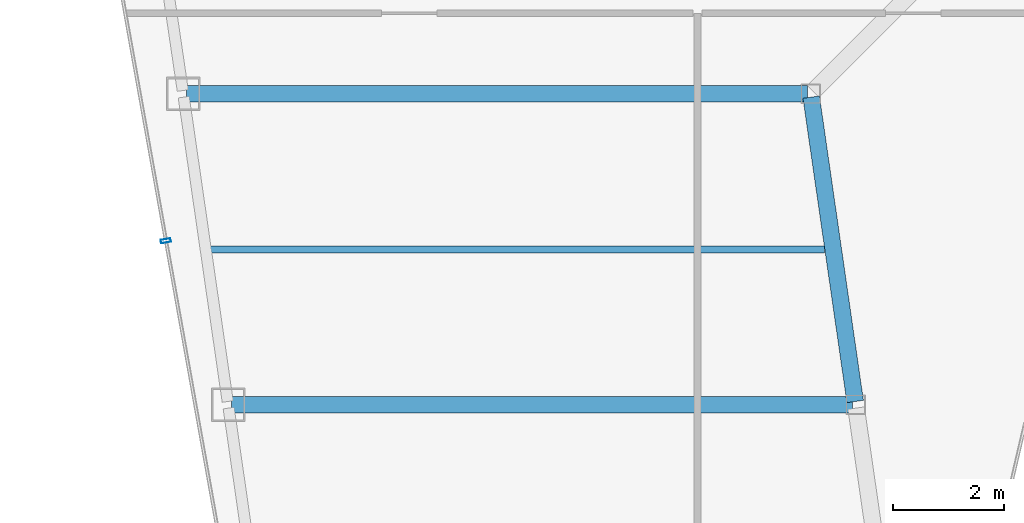
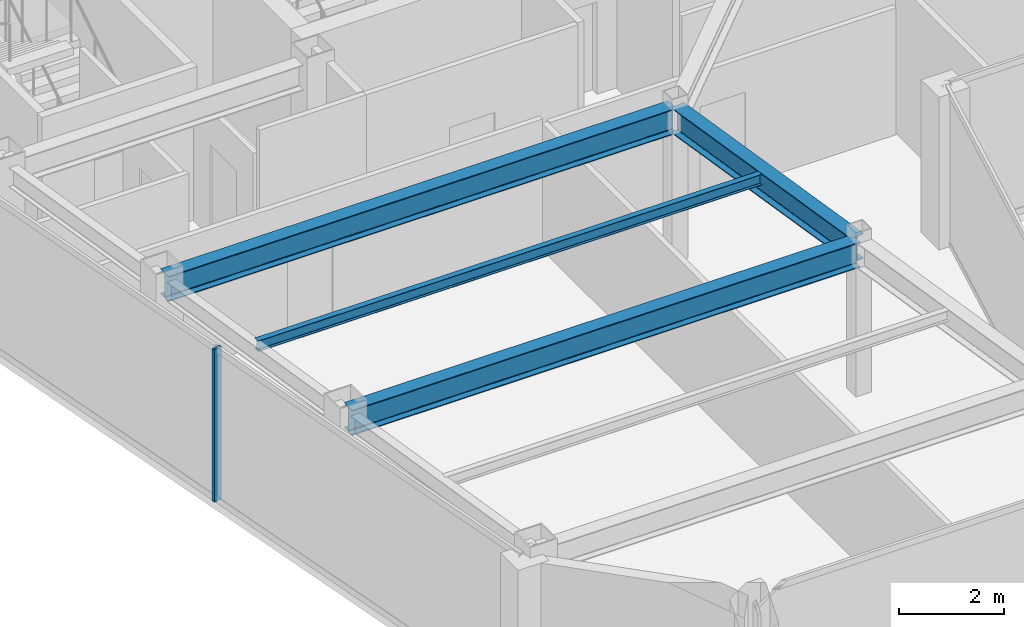
# One storey, part 5 of 32: 4 beams, 1 member, 1 element without a shape of its own.
"""IFC4 building model written with IfcOpenShell, lengths in metres."""

import ifcopenshell
import ifcopenshell.guid

model = None  # the IFC model being written
_history = None  # IfcOwnerHistory: only IFC2X3 demands one
_inside = {}  # id of a spatial element -> (the spatial element, [elements in it])
_under = {}  # id of a project, library or spatial element -> (it, [spatial elements below it])
_declared = {}  # id of a project -> (the project, [libraries it declares])
_typed = {}  # id of a type object -> (the type object, [elements of that type])
_made_of = {}  # id of a material, layer set ... -> (it, [elements and type objects made of it])


def new_model(schema):
    """Start an empty IFC model of exactly this schema.

    Asked for "IFC4X3", IfcOpenShell would pick the latest addendum, in which some entities
    have other attributes; the version numbers below select the first issue.
    IFC2X3 requires an IfcOwnerHistory on every rooted entity: one is made here for all.
    """
    global model, _history
    if schema == "IFC4X3":
        model = ifcopenshell.file(schema_version=(4, 3, 0, 0))
    else:
        model = ifcopenshell.file(schema=schema)
    _inside.clear()
    _under.clear()
    _declared.clear()
    _typed.clear()
    _made_of.clear()
    _history = None
    if model.schema == "IFC2X3":
        org = make("IfcOrganization", Name="unknown")
        user = make(
            "IfcPersonAndOrganization",
            ThePerson=make("IfcPerson", FamilyName="unknown"),
            TheOrganization=org,
        )
        app = make(
            "IfcApplication",
            ApplicationDeveloper=org,
            Version="unknown",
            ApplicationFullName="unknown",
            ApplicationIdentifier="unknown",
        )
        _history = make(
            "IfcOwnerHistory",
            OwningUser=user,
            OwningApplication=app,
            ChangeAction="ADDED",
            CreationDate=0,
        )
    return model


def make(cls, **values):
    """One entity of the class cls with the attributes given. An attribute that is None is left unset."""
    return model.create_entity(
        cls, **{name: value for name, value in values.items() if value is not None}
    )


def rooted(cls, **values):
    """An entity with a GlobalId (a new one), such as an element, a storey or a relation."""
    return make(cls, GlobalId=ifcopenshell.guid.new(), OwnerHistory=_history, **values)


def si_unit(unit_type, name, prefix=None):
    """IfcSIUnit, for example si_unit("LENGTHUNIT", "METRE", prefix="MILLI")."""
    return make("IfcSIUnit", UnitType=unit_type, Prefix=prefix, Name=name)


def assignment(units):
    """IfcUnitAssignment: the units of a project."""
    return None if units is None else make("IfcUnitAssignment", Units=units)


def point(xyz):
    """IfcCartesianPoint."""
    return None if xyz is None else make("IfcCartesianPoint", Coordinates=xyz)


def direction(xyz):
    """IfcDirection."""
    return None if xyz is None else make("IfcDirection", DirectionRatios=xyz)


def frame(location, z_axis=None, x_axis=None):
    """IfcAxis2Placement3D, a coordinate frame: its origin and axes. An axis left out is left unset."""
    return make(
        "IfcAxis2Placement3D",
        Location=point(location),
        Axis=direction(z_axis),
        RefDirection=direction(x_axis),
    )


def frame_2d(location, x_axis=None):
    """IfcAxis2Placement2D, a coordinate frame in the plane: its origin and x axis."""
    return make(
        "IfcAxis2Placement2D", Location=point(location), RefDirection=direction(x_axis)
    )


def origin():
    """The frame at (0, 0, 0) with its axes left unset."""
    return frame((0.0, 0.0, 0.0))


def origin_2d():
    """The frame at (0, 0) in the plane with its x axis left unset."""
    return frame_2d((0.0, 0.0))


def place(relative_to, where):
    """IfcLocalPlacement: puts the frame where relative to a parent placement (None: the world)."""
    return make(
        "IfcLocalPlacement", PlacementRelTo=relative_to, RelativePlacement=where
    )


def context(
    kind, dimensions, precision=None, world=None, true_north=None, identifier=None
):
    """IfcGeometricRepresentationContext, for example the 3D "Model" context."""
    return make(
        "IfcGeometricRepresentationContext",
        ContextIdentifier=identifier,
        ContextType=kind,
        CoordinateSpaceDimension=dimensions,
        Precision=precision,
        WorldCoordinateSystem=world,
        TrueNorth=true_north,
    )


def subcontext(parent, identifier, kind, view, scale=None):
    """IfcGeometricRepresentationSubContext, for example "Body" below "Model"."""
    return make(
        "IfcGeometricRepresentationSubContext",
        ContextIdentifier=identifier,
        ContextType=kind,
        ParentContext=parent,
        TargetScale=scale,
        TargetView=view,
    )


def project(units=None, contexts=None):
    """IfcProject with its units and contexts."""
    return rooted(
        "IfcProject",
        Name="project",
        RepresentationContexts=contexts,
        UnitsInContext=assignment(units),
    )


def spatial(cls, under=None, at=None, **own):
    """A site, building, storey or space (cls), placed at a placement, below another one or the project."""
    s = rooted(cls, ObjectPlacement=at, **own)
    if under is not None:
        _under.setdefault(under.id(), (under, []))[1].append(s)
    return s


def profile(cls, at=None, kind="AREA", **sizes):
    """A parametric profile (cls). Its sizes go by their IFC names, for example OverallWidth=200.0."""
    return make(cls, ProfileType=kind, Position=at, **sizes)


def hollow_rectangle(**sizes):
    """IfcRectangleHollowProfileDef."""
    return profile("IfcRectangleHollowProfileDef", **sizes)


def i_section(**sizes):
    """IfcIShapeProfileDef."""
    return profile("IfcIShapeProfileDef", **sizes)


def extrude(swept, where, along, depth):
    """IfcExtrudedAreaSolid: the profile swept, set in the frame where, extruded along a direction by depth."""
    return make(
        "IfcExtrudedAreaSolid",
        SweptArea=swept,
        Position=where,
        ExtrudedDirection=direction(along),
        Depth=depth,
    )


def shape(context_of_items, identifier, shape_type, items):
    """IfcShapeRepresentation: the items that make up one representation, for example the "Body"."""
    return make(
        "IfcShapeRepresentation",
        ContextOfItems=context_of_items,
        RepresentationIdentifier=identifier,
        RepresentationType=shape_type,
        Items=items,
    )


def material(Name=None, Category=None):
    """IfcMaterial."""
    return make("IfcMaterial", Name=Name, Category=Category)


def material_profile(
    of_material, cross_section, Name=None, Category=None, Priority=None
):
    """IfcMaterialProfile: a cross section and its material."""
    return make(
        "IfcMaterialProfile",
        Name=Name,
        Material=of_material,
        Profile=cross_section,
        Priority=Priority,
        Category=Category,
    )


def profile_set(profiles, Name=None, composite=None):
    """IfcMaterialProfileSet."""
    return make(
        "IfcMaterialProfileSet",
        Name=Name,
        MaterialProfiles=profiles,
        CompositeProfile=composite,
    )


def made_of(thing, what):
    """Note that an element or type object is made of a material, layer set ...; save() writes the relation."""
    if what is not None:
        _made_of.setdefault(what.id(), (what, []))[1].append(thing)
    return thing


def type_object(cls, material=None, **own):
    """A type object (cls), such as IfcWallType, which elements share."""
    return made_of(rooted(cls, **own), material)


def element(
    cls,
    number,
    at=None,
    inside=None,
    cuts=None,
    type_object=None,
    material=None,
    context=None,
    identifier="Body",
    shape_type=None,
    held_by="IfcProductDefinitionShape",
    body=None,
    shapes=None,
    **own,
):
    """One element of the class cls, such as IfcWall. Its Tag is "e" and its number.

    at: its placement. inside: the storey or other place that contains it. cuts: it is an
    opening in that element (IfcRelVoidsElement). A single representation is given by context,
    identifier, shape_type and body (its items); several are given by shapes. held_by: the class
    of the entity that holds the representations. save() writes the other relations.
    """
    e = rooted(cls, Tag="e%d" % number, ObjectPlacement=at, **own)
    if body is not None:
        shapes = [shape(context, identifier, shape_type, body)]
    if shapes is not None:
        e.Representation = make(held_by, Representations=shapes)
    if inside is not None:
        _inside.setdefault(inside.id(), (inside, []))[1].append(e)
    if cuts is not None:
        rooted(
            "IfcRelVoidsElement", RelatingBuildingElement=cuts, RelatedOpeningElement=e
        )
    if type_object is not None:
        _typed.setdefault(type_object.id(), (type_object, []))[1].append(e)
    return made_of(e, material)


def aggregate(whole, parts):
    """IfcRelAggregates: a whole, such as a stair, and the parts it consists of."""
    return rooted("IfcRelAggregates", RelatingObject=whole, RelatedObjects=parts)


def save(model, path):
    """Write the relations noted so far, then the file.

    IfcRelAggregates (storeys below a building ...), IfcRelContainedInSpatialStructure (elements
    in a storey), IfcRelDefinesByType, IfcRelAssociatesMaterial and IfcRelDeclares: one each for
    every whole, place, type object, material and project.
    """
    for whole, parts in _under.values():
        aggregate(whole, parts)
    for where, things in _inside.values():
        rooted(
            "IfcRelContainedInSpatialStructure",
            RelatedElements=things,
            RelatingStructure=where,
        )
    for kind, things in _typed.values():
        rooted("IfcRelDefinesByType", RelatedObjects=things, RelatingType=kind)
    for what, things in _made_of.values():
        rooted("IfcRelAssociatesMaterial", RelatedObjects=things, RelatingMaterial=what)
    for by, libraries in _declared.values():
        rooted("IfcRelDeclares", RelatingContext=by, RelatedDefinitions=libraries)
    model.write(path)


model = new_model("IFC4")

# Units and contexts
model_context = context("Model", 3, precision=1e-05, world=origin(), true_north=direction((0.0, 1.0)))
body_context = subcontext(model_context, "Body", "Model", "MODEL_VIEW")
ifc_project = project(units=[si_unit("LENGTHUNIT", "METRE"), si_unit("AREAUNIT", "SQUARE_METRE"), si_unit("VOLUMEUNIT", "CUBIC_METRE"), si_unit("PLANEANGLEUNIT", "RADIAN"), si_unit("MASSUNIT", "GRAM", prefix="KILO")], contexts=[model_context])

# Site, building, storey
site_placement = place(None, origin())
site = spatial("IfcSite", under=ifc_project, at=site_placement, CompositionType="ELEMENT")
building_placement = place(site_placement, origin())
building = spatial("IfcBuilding", under=site, at=building_placement, Name="Saevonmaru Cultural Tower", CompositionType="ELEMENT")
storey_placement = place(building_placement, frame((0.0, 0.0, 261.0)))
storey = spatial("IfcBuildingStorey", under=building, at=storey_placement, Name="L61", CompositionType="ELEMENT", Elevation=261.0)

# Beams
ifc_material_1 = material(Name="Steel SM355", Category="steel")
ifc_material_profile_1 = material_profile(ifc_material_1, i_section(OverallWidth=0.300048828125, OverallDepth=0.587890625, WebThickness=0.011962890625, FlangeThickness=0.02001953125, FilletRadius=0.02392578125, at=origin_2d()), Name="H-588x300x12x20")
ifc_profile_set_1 = profile_set([ifc_material_profile_1], Name="Steel SM355")
beam_type_1 = type_object("IfcBeamType", Name="BM-G-H588", PredefinedType="BEAM", material=ifc_profile_set_1)
beam_1_placement = place(storey_placement, frame((19.6083984375, 32.059326171875, 3.256103515625), z_axis=(-0.142964121327, 0.989727871697, 0.0), x_axis=(-0.989727871697, -0.142964121327, 0.0)))
element("IfcBeam", 1, at=beam_1_placement, inside=storey, type_object=beam_type_1, Name="L61 West Atrium Girder 2", PredefinedType="BEAM", context=body_context, shape_type="SweptSolid", body=[
    extrude(i_section(OverallWidth=0.300048828125, OverallDepth=0.587890625, WebThickness=0.011962890625, FlangeThickness=0.02001953125, FilletRadius=0.02392578125, at=origin_2d()), origin(), (0.0, 0.0, 1.0), 5.5380859375),
])
for number, where, z_axis, x_axis, name in (
    (2, (8.376953125, 32.0, 3.256103515625), (1.0, 0.0, 0.0), (0.0, 1.0, 0.0), "L61 West Wing Transverse Girder 2"),
    (3, (7.568115234375, 37.60009765625, 3.256103515625), (1.0, 0.0, 0.0), (0.0, 1.0, 0.0), "L61 West Wing Transverse Girder 3"),
):
    element("IfcBeam", number, at=place(storey_placement, frame(where, z_axis=z_axis, x_axis=x_axis)), inside=storey, type_object=beam_type_1, Name=name, PredefinedType="BEAM", context=body_context, shape_type="SweptSolid", body=[
        extrude(i_section(OverallWidth=0.300048828125, OverallDepth=0.587890625, WebThickness=0.011962890625, FlangeThickness=0.02001953125, FilletRadius=0.02392578125, at=origin_2d()), origin(), (0.0, 0.0, 1.0), 11.179931640625),
    ])
ifc_material_profile_2 = material_profile(ifc_material_1, i_section(OverallWidth=0.125, OverallDepth=0.25, WebThickness=0.006103515625, FlangeThickness=0.009033203125, FilletRadius=0.008056640625, at=origin_2d()), Name="H-250x125x6x9")
ifc_profile_set_2 = profile_set([ifc_material_profile_2], Name="Steel SM355")
beam_type_2 = type_object("IfcBeamType", Name="BM-J-H250", PredefinedType="JOIST", material=ifc_profile_set_2)
beam_2_placement = place(storey_placement, frame((7.972412109375, 34.800048828125, 3.425048828125), z_axis=(1.0, 0.0, 0.0), x_axis=(0.0, 1.0, 0.0)))
element("IfcBeam", 4, at=beam_2_placement, inside=storey, type_object=beam_type_2, Name="L61 West Wing Floor Joist 2", PredefinedType="JOIST", context=body_context, shape_type="SweptSolid", body=[
    extrude(i_section(OverallWidth=0.125, OverallDepth=0.25, WebThickness=0.006103515625, FlangeThickness=0.009033203125, FilletRadius=0.008056640625, at=origin_2d()), origin(), (0.0, 0.0, 1.0), 11.08203125),
])

# Curtain wall, member
ifc_material_2 = material(Name="Satin Bronze Anodised Aluminium", Category="aluminium")
curtain_wall_type = type_object("IfcCurtainWallType", Name="CW-TYP-B", PredefinedType="NOTDEFINED", material=ifc_material_2)
curtain_wall_placement = place(storey_placement, origin())
curtain_wall = element("IfcCurtainWall", 5, at=curtain_wall_placement, inside=storey, type_object=curtain_wall_type, Name="L61 Unitised Curtain Wall E12", PredefinedType="NOTDEFINED")
ifc_material_profile_3 = material_profile(ifc_material_2, hollow_rectangle(XDim=0.06494140625, YDim=0.179931640625, WallThickness=0.00390625, at=origin_2d()), Name="ALU-MULL-180x65x4")
ifc_profile_set_3 = profile_set([ifc_material_profile_3], Name="Satin Bronze Anodised Aluminium")
member_type = type_object("IfcMemberType", Name="ML-CW-180x65", PredefinedType="MULLION", material=ifc_profile_set_3)
member_placement = place(storey_placement, frame((7.193603515625, 34.953125, 0.0), z_axis=(0.0, 0.0, 1.0), x_axis=(0.176140740755, -0.984364993001, 0.0)))
member = element("IfcMember", 6, at=member_placement, type_object=member_type, Name="CW-TW-L61-E12 mullion 3", PredefinedType="MULLION", context=body_context, shape_type="SweptSolid", body=[
    extrude(hollow_rectangle(XDim=0.06494140625, YDim=0.179931640625, WallThickness=0.00390625, at=origin_2d()), origin(), (0.0, 0.0, 1.0), 3.550048828125),
])
aggregate(curtain_wall, [member])

save(model, "model.ifc")
